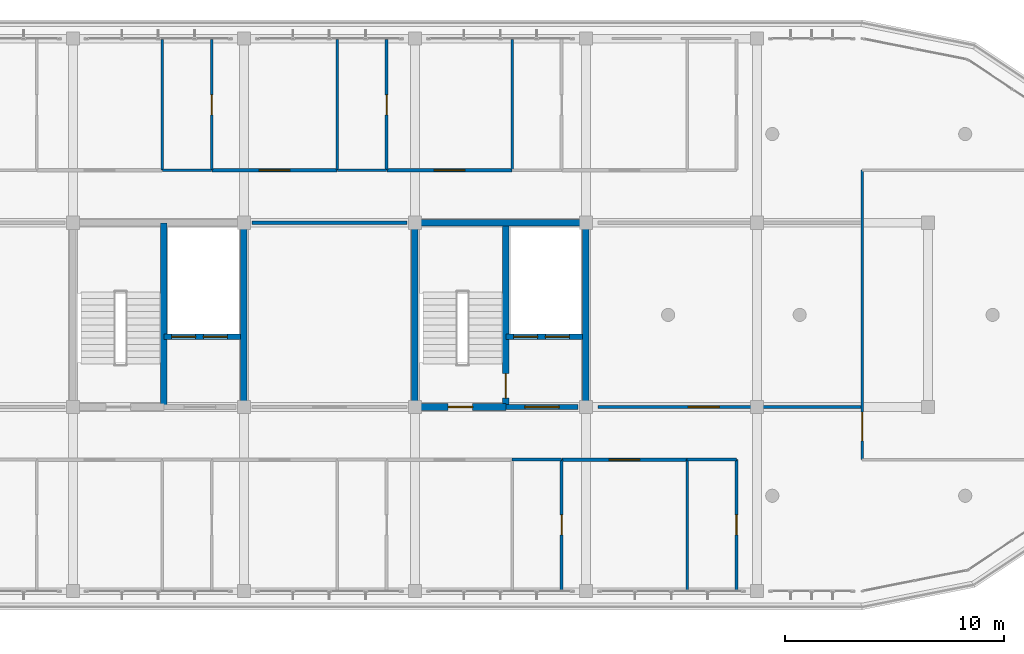
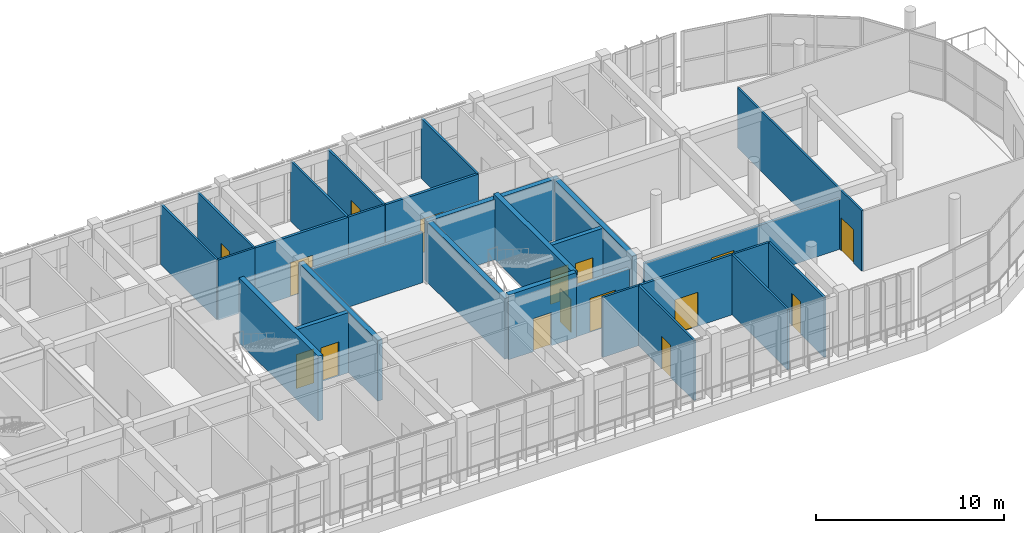
# One storey, part 50 of 56: 28 walls, 16 doors, 16 openings.
"""IFC4 building model written with IfcOpenShell, lengths in metres."""

from ifc_helpers import new_model, si_unit, direction, frame, frame_2d, origin, place, context, subcontext, project, spatial, rectangle, extrude, material, layer, layer_set, type_object, element, fill, save


model = new_model("IFC4")

# Units and contexts
model_context = context("Model", 3, precision=1e-05, world=origin(), true_north=direction((0.0, 1.0)))
body_context = subcontext(model_context, "Body", "Model", "MODEL_VIEW")
ifc_project = project(units=[si_unit("LENGTHUNIT", "METRE"), si_unit("AREAUNIT", "SQUARE_METRE"), si_unit("VOLUMEUNIT", "CUBIC_METRE"), si_unit("PLANEANGLEUNIT", "RADIAN"), si_unit("MASSUNIT", "GRAM", prefix="KILO")], contexts=[model_context])

# Site, building, storey
site_placement = place(None, origin())
site = spatial("IfcSite", under=ifc_project, at=site_placement, CompositionType="ELEMENT")
building_placement = place(site_placement, origin())
building = spatial("IfcBuilding", under=site, at=building_placement, Name="Zizhar Promenade General Hospital", CompositionType="ELEMENT")
storey_placement = place(building_placement, frame((0.0, 0.0, 26.39990234375)))
storey = spatial("IfcBuildingStorey", under=building, at=storey_placement, Name="L06", CompositionType="ELEMENT", Elevation=26.39990234375)

# Wall
ifc_material_1 = material(Name="Clinical consultation partition")
ifc_layer_1 = layer(ifc_material_1, 0.14501953125)
ifc_layer_set_1 = layer_set([ifc_layer_1], Name="Clinical consultation partition")
wall_type_1 = type_object("IfcWallType", Name="IW-CLN-145", PredefinedType="PARTITIONING", material=ifc_layer_set_1)
wall_1_placement = place(storey_placement, frame((86.159912109375, 16.800048828125, 0.0), z_axis=(0.0, 0.0, 1.0), x_axis=(1.0, 0.0, 0.0)))
element("IfcWall", 1, at=wall_1_placement, inside=storey, type_object=wall_type_1, Name="Accessible Visitor Lounge and Clean Utility L06 N Partition", PredefinedType="PARTITIONING", context=body_context, shape_type="SweptSolid", body=[
    extrude(rectangle(XDim=7.080078125, YDim=0.14501953125, at=frame_2d((3.5400390625, 0.0))), origin(), (0.0, 0.0, 1.0), 3.27001953125),
])

# Wall, opening, door
ifc_material_2 = material(Name="Concrete C35/45", Category="concrete")
ifc_layer_2 = layer(ifc_material_2, 0.215087890625)
ifc_layer_set_2 = layer_set([ifc_layer_2], Name="Concrete C35/45")
wall_type_2 = type_object("IfcWallType", Name="IW-LOBBY-215", PredefinedType="STANDARD", material=ifc_layer_set_2)
wall_2_placement = place(storey_placement, frame((97.75, 8.39990234375, 0.0), z_axis=(0.0, 0.0, 1.0), x_axis=(1.0, 0.0, 0.0)))
wall_2 = element("IfcWall", 2, at=wall_2_placement, inside=storey, type_object=wall_type_2, Name="Core C5 Lift Lobby South Fire Wall (L06)", PredefinedType="STANDARD", context=body_context, shape_type="SweptSolid", body=[
    extrude(rectangle(XDim=3.2900390625, YDim=0.215087890625, at=frame_2d((1.64501953125, 0.0))), origin(), (0.0, 0.0, 1.0), 3.27001953125),
])
opening_1_placement = place(wall_2_placement, frame((0.864990234375, 0.0, 0.0)))
opening_1 = element("IfcOpeningElement", 3, at=opening_1_placement, cuts=wall_2, Name="Opening D-22", PredefinedType="OPENING", context=body_context, shape_type="SweptSolid", body=[
    extrude(rectangle(XDim=1.56005859375, YDim=2.199951171875, at=frame_2d((0.780029296875, 1.10009765625))), frame((0.0, 0.11767578125, 0.0), z_axis=(0.0, -1.0, 0.0), x_axis=(1.0, 0.0, 0.0)), (0.0, 0.0, 1.0), 0.235107421875),
])
ifc_material_3 = material(Name="Steel S355 firefighting lobby pair", Category="steel")
door_type_1 = type_object("IfcDoorType", Name="DR-LOBBY-FF-156x220", OperationType="DOUBLE_DOOR_SINGLE_SWING", PredefinedType="DOOR", material=ifc_material_3)
door_1_placement = place(opening_1_placement, origin())
door_1 = element("IfcDoor", 4, at=door_1_placement, inside=storey, type_object=door_type_1, Name="Core C5 Firefighting Lift Lobby Door (L06)", OperationType="DOUBLE_DOOR_SINGLE_SWING", OverallHeight=2.199951171875, OverallWidth=1.56005859375, PredefinedType="DOOR", context=body_context, shape_type="SweptSolid", body=[
    extrude(rectangle(XDim=1.56005859375, YDim=2.199951171875, at=frame_2d((0.780029296875, 1.10009765625))), frame((0.0, 0.02490234375, 0.0), z_axis=(0.0, -1.0, 0.0), x_axis=(1.0, 0.0, 0.0)), (0.0, 0.0, 1.0), 0.050048828125),
])
fill(opening_1, door_1)

# Wall, openings, doors
ifc_material_4 = material(Name="Concrete C35/45", Category="concrete")
ifc_layer_3 = layer(ifc_material_4, 0.25)
ifc_layer_set_3 = layer_set([ifc_layer_3], Name="Concrete C35/45")
wall_type_3 = type_object("IfcWallType", Name="IW-SHAFT-250", PredefinedType="STANDARD", material=ifc_layer_set_3)
wall_3_placement = place(storey_placement, frame((82.14990234375, 11.60009765625, 0.0), z_axis=(0.0, 0.0, 1.0), x_axis=(1.0, 0.0, 0.0)))
wall_3 = element("IfcWall", 5, at=wall_3_placement, inside=storey, type_object=wall_type_3, Name="Core C4 Lift Shaft Landing Wall (L06)", PredefinedType="STANDARD", context=body_context, shape_type="SweptSolid", body=[
    extrude(rectangle(XDim=3.5, YDim=0.25, at=frame_2d((1.75, 0.0))), origin(), (0.0, 0.0, 1.0), 3.900146484375),
])
opening_2_placement = place(wall_3_placement, frame((0.35009765625, 0.0, 0.0)))
opening_2 = element("IfcOpeningElement", 6, at=opening_2_placement, cuts=wall_3, Name="Opening LD-11", PredefinedType="OPENING", context=body_context, shape_type="SweptSolid", body=[
    extrude(rectangle(XDim=1.10009765625, YDim=2.199951171875, at=frame_2d((0.550048828125, 1.10009765625))), frame((0.0, 0.135009765625, 0.0), z_axis=(0.0, -1.0, 0.0), x_axis=(1.0, 0.0, 0.0)), (0.0, 0.0, 1.0), 0.27001953125),
])
opening_3_placement = place(wall_3_placement, frame((1.800048828125, 0.0, 0.0)))
opening_3 = element("IfcOpeningElement", 7, at=opening_3_placement, cuts=wall_3, Name="Opening LD-11", PredefinedType="OPENING", context=body_context, shape_type="SweptSolid", body=[
    extrude(rectangle(XDim=1.10009765625, YDim=2.199951171875, at=frame_2d((0.550048828125, 1.10009765625))), frame((0.0, 0.135009765625, 0.0), z_axis=(0.0, -1.0, 0.0), x_axis=(1.0, 0.0, 0.0)), (0.0, 0.0, 1.0), 0.27001953125),
])
ifc_material_5 = material(Name="Stainless Steel S355 passenger lift landing door", Category="steel")
door_type_2 = type_object("IfcDoorType", Name="DR-LIFT-LD11", OperationType="SLIDING_TO_LEFT", PredefinedType="DOOR", material=ifc_material_5)
door_2_placement = place(opening_2_placement, origin())
door_2 = element("IfcDoor", 8, at=door_2_placement, inside=storey, type_object=door_type_2, Name="Lift LB-03 Sliding Landing Door (L06)", OperationType="SLIDING_TO_LEFT", OverallHeight=2.199951171875, OverallWidth=1.10009765625, PredefinedType="DOOR", context=body_context, shape_type="SweptSolid", body=[
    extrude(rectangle(XDim=1.10009765625, YDim=2.199951171875, at=frame_2d((0.550048828125, 1.10009765625))), frame((0.0, 0.02490234375, 0.0), z_axis=(0.0, -1.0, 0.0), x_axis=(1.0, 0.0, 0.0)), (0.0, 0.0, 1.0), 0.050048828125),
])
fill(opening_2, door_2)
door_3_placement = place(opening_3_placement, origin())
door_3 = element("IfcDoor", 9, at=door_3_placement, inside=storey, type_object=door_type_2, Name="Lift LP-03 Sliding Landing Door (L06)", OperationType="SLIDING_TO_LEFT", OverallHeight=2.199951171875, OverallWidth=1.10009765625, PredefinedType="DOOR", context=body_context, shape_type="SweptSolid", body=[
    extrude(rectangle(XDim=1.10009765625, YDim=2.199951171875, at=frame_2d((0.550048828125, 1.10009765625))), frame((0.0, 0.02490234375, 0.0), z_axis=(0.0, -1.0, 0.0), x_axis=(1.0, 0.0, 0.0)), (0.0, 0.0, 1.0), 0.050048828125),
])
fill(opening_3, door_3)

wall_4_placement = place(storey_placement, frame((97.75, 11.60009765625, 0.0), z_axis=(0.0, 0.0, 1.0), x_axis=(1.0, 0.0, 0.0)))
wall_4 = element("IfcWall", 10, at=wall_4_placement, inside=storey, type_object=wall_type_3, Name="Core C5 Lift Shaft Landing Wall (L06)", PredefinedType="STANDARD", context=body_context, shape_type="SweptSolid", body=[
    extrude(rectangle(XDim=3.5, YDim=0.25, at=frame_2d((1.75, 0.0))), origin(), (0.0, 0.0, 1.0), 3.900146484375),
])
opening_4_placement = place(wall_4_placement, frame((0.35009765625, 0.0, 0.0)))
opening_4 = element("IfcOpeningElement", 11, at=opening_4_placement, cuts=wall_4, Name="Opening LD-11", PredefinedType="OPENING", context=body_context, shape_type="SweptSolid", body=[
    extrude(rectangle(XDim=1.10009765625, YDim=2.199951171875, at=frame_2d((0.550048828125, 1.10009765625))), frame((0.0, 0.135009765625, 0.0), z_axis=(0.0, -1.0, 0.0), x_axis=(1.0, 0.0, 0.0)), (0.0, 0.0, 1.0), 0.27001953125),
])
opening_5_placement = place(wall_4_placement, frame((1.800048828125, 0.0, 0.0)))
opening_5 = element("IfcOpeningElement", 12, at=opening_5_placement, cuts=wall_4, Name="Opening LD-11", PredefinedType="OPENING", context=body_context, shape_type="SweptSolid", body=[
    extrude(rectangle(XDim=1.10009765625, YDim=2.199951171875, at=frame_2d((0.550048828125, 1.10009765625))), frame((0.0, 0.135009765625, 0.0), z_axis=(0.0, -1.0, 0.0), x_axis=(1.0, 0.0, 0.0)), (0.0, 0.0, 1.0), 0.27001953125),
])
door_4_placement = place(opening_4_placement, origin())
door_4 = element("IfcDoor", 13, at=door_4_placement, inside=storey, type_object=door_type_2, Name="Lift LF-02 Sliding Landing Door (L06)", OperationType="SLIDING_TO_LEFT", OverallHeight=2.199951171875, OverallWidth=1.10009765625, PredefinedType="DOOR", context=body_context, shape_type="SweptSolid", body=[
    extrude(rectangle(XDim=1.10009765625, YDim=2.199951171875, at=frame_2d((0.550048828125, 1.10009765625))), frame((0.0, 0.02490234375, 0.0), z_axis=(0.0, -1.0, 0.0), x_axis=(1.0, 0.0, 0.0)), (0.0, 0.0, 1.0), 0.050048828125),
])
fill(opening_4, door_4)
door_5_placement = place(opening_5_placement, origin())
door_5 = element("IfcDoor", 14, at=door_5_placement, inside=storey, type_object=door_type_2, Name="Lift LB-04 Sliding Landing Door (L06)", OperationType="SLIDING_TO_LEFT", OverallHeight=2.199951171875, OverallWidth=1.10009765625, PredefinedType="DOOR", context=body_context, shape_type="SweptSolid", body=[
    extrude(rectangle(XDim=1.10009765625, YDim=2.199951171875, at=frame_2d((0.550048828125, 1.10009765625))), frame((0.0, 0.02490234375, 0.0), z_axis=(0.0, -1.0, 0.0), x_axis=(1.0, 0.0, 0.0)), (0.0, 0.0, 1.0), 0.050048828125),
])
fill(opening_5, door_5)

# Wall, opening, door
ifc_material_6 = material(Name="Clean utility gypsum partition")
ifc_layer_4 = layer(ifc_material_6, 0.114990234375)
ifc_layer_set_4 = layer_set([ifc_layer_4], Name="Clean utility gypsum partition")
wall_type_4 = type_object("IfcWallType", Name="IW-STR-115", PredefinedType="PARTITIONING", material=ifc_layer_set_4)
wall_5_placement = place(storey_placement, frame((114.0, 6.0, 0.0), z_axis=(0.0, 0.0, 1.0), x_axis=(0.0, 1.0, 0.0)))
wall_5 = element("IfcWall", 15, at=wall_5_placement, inside=storey, type_object=wall_type_4, Name="East Patient Recovery Solarium L06 W Partition", PredefinedType="PARTITIONING", context=body_context, shape_type="SweptSolid", body=[
    extrude(rectangle(XDim=13.199951171875, YDim=0.114990234375, at=frame_2d((6.60009765625, 0.0))), origin(), (0.0, 0.0, 1.0), 3.900146484375),
])
opening_6_placement = place(wall_5_placement, frame((0.85009765625, 0.0, 0.0)))
opening_6 = element("IfcOpeningElement", 16, at=opening_6_placement, cuts=wall_5, Name="Opening D-26", PredefinedType="OPENING", context=body_context, shape_type="SweptSolid", body=[
    extrude(rectangle(XDim=1.320068359375, YDim=2.14990234375, at=frame_2d((0.66015625, 1.074951171875))), frame((0.0, 0.0673828125, 0.0), z_axis=(0.0, -1.0, 0.0), x_axis=(1.0, 0.0, 0.0)), (0.0, 0.0, 1.0), 0.135009765625),
])
ifc_material_7 = material(Name="Fire-rated timber store leaf", Category="wood")
door_type_3 = type_object("IfcDoorType", Name="DR-STORE-132x215", OperationType="NOTDEFINED", PredefinedType="DOOR", material=ifc_material_7)
door_6_placement = place(opening_6_placement, origin())
door_6 = element("IfcDoor", 17, at=door_6_placement, inside=storey, type_object=door_type_3, Name="East Patient Recovery Solarium L06 Door", OperationType="SINGLE_SWING_LEFT", OverallHeight=2.14990234375, OverallWidth=1.320068359375, PredefinedType="DOOR", context=body_context, shape_type="SweptSolid", body=[
    extrude(rectangle(XDim=1.320068359375, YDim=2.14990234375, at=frame_2d((0.66015625, 1.074951171875))), frame((0.0, 0.02490234375, 0.0), z_axis=(0.0, -1.0, 0.0), x_axis=(1.0, 0.0, 0.0)), (0.0, 0.0, 1.0), 0.050048828125),
])
fill(opening_6, door_6)

ifc_material_8 = material(Name="Acoustic patient bedroom partition")
ifc_layer_5 = layer(ifc_material_8, 0.155029296875)
ifc_layer_set_5 = layer_set([ifc_layer_5], Name="Acoustic patient bedroom partition")
wall_type_5 = type_object("IfcWallType", Name="IW-WARD-155", PredefinedType="PARTITIONING", material=ifc_layer_set_5)
wall_6_placement = place(storey_placement, frame((84.340087890625, 19.199951171875, 0.0), z_axis=(0.0, 0.0, 1.0), x_axis=(1.0, 0.0, 0.0)))
wall_6 = element("IfcWall", 18, at=wall_6_placement, inside=storey, type_object=wall_type_5, Name="Surgical Recovery Inpatient Ward L06-N07 S Partition", PredefinedType="PARTITIONING", context=body_context, shape_type="SweptSolid", body=[
    extrude(rectangle(XDim=5.7099609375, YDim=0.155029296875, at=frame_2d((2.85498046875, 0.0))), origin(), (0.0, 0.0, 1.0), 3.900146484375),
])
opening_7_placement = place(wall_6_placement, frame((2.155029296875, 0.0, 0.0)))
opening_7 = element("IfcOpeningElement", 19, at=opening_7_placement, cuts=wall_6, Name="Opening D-06", PredefinedType="OPENING", context=body_context, shape_type="SweptSolid", body=[
    extrude(rectangle(XDim=1.39990234375, YDim=2.199951171875, at=frame_2d((0.699951171875, 1.10009765625))), frame((0.0, 0.08740234375, 0.0), z_axis=(0.0, -1.0, 0.0), x_axis=(1.0, 0.0, 0.0)), (0.0, 0.0, 1.0), 0.175048828125),
])
ifc_material_9 = material(Name="Fire-rated timber hospital bed leaf", Category="wood")
door_type_4 = type_object("IfcDoorType", Name="DR-BED-WARD-140x220", OperationType="NOTDEFINED", PredefinedType="DOOR", material=ifc_material_9)
door_7_placement = place(opening_7_placement, origin())
door_7 = element("IfcDoor", 20, at=door_7_placement, inside=storey, type_object=door_type_4, Name="Surgical Recovery Inpatient Ward L06-N07 Door", OperationType="SINGLE_SWING_LEFT", OverallHeight=2.199951171875, OverallWidth=1.39990234375, PredefinedType="DOOR", context=body_context, shape_type="SweptSolid", body=[
    extrude(rectangle(XDim=1.39990234375, YDim=2.199951171875, at=frame_2d((0.699951171875, 1.10009765625))), frame((0.0, 0.02490234375, 0.0), z_axis=(0.0, -1.0, 0.0), x_axis=(1.0, 0.0, 0.0)), (0.0, 0.0, 1.0), 0.050048828125),
])
fill(opening_7, door_7)

wall_7_placement = place(storey_placement, frame((92.320068359375, 19.199951171875, 0.0), z_axis=(0.0, 0.0, 1.0), x_axis=(1.0, 0.0, 0.0)))
wall_7 = element("IfcWall", 21, at=wall_7_placement, inside=storey, type_object=wall_type_5, Name="Orthopaedic Inpatient Ward L06-N08 S Partition", PredefinedType="PARTITIONING", context=body_context, shape_type="SweptSolid", body=[
    extrude(rectangle(XDim=5.7099609375, YDim=0.155029296875, at=frame_2d((2.85498046875, 0.0))), origin(), (0.0, 0.0, 1.0), 3.900146484375),
])
opening_8_placement = place(wall_7_placement, frame((2.155029296875, 0.0, 0.0)))
opening_8 = element("IfcOpeningElement", 22, at=opening_8_placement, cuts=wall_7, Name="Opening D-06", PredefinedType="OPENING", context=body_context, shape_type="SweptSolid", body=[
    extrude(rectangle(XDim=1.39990234375, YDim=2.199951171875, at=frame_2d((0.699951171875, 1.10009765625))), frame((0.0, 0.08740234375, 0.0), z_axis=(0.0, -1.0, 0.0), x_axis=(1.0, 0.0, 0.0)), (0.0, 0.0, 1.0), 0.175048828125),
])
door_8_placement = place(opening_8_placement, origin())
door_8 = element("IfcDoor", 23, at=door_8_placement, inside=storey, type_object=door_type_4, Name="Orthopaedic Inpatient Ward L06-N08 Door", OperationType="SINGLE_SWING_LEFT", OverallHeight=2.199951171875, OverallWidth=1.39990234375, PredefinedType="DOOR", context=body_context, shape_type="SweptSolid", body=[
    extrude(rectangle(XDim=1.39990234375, YDim=2.199951171875, at=frame_2d((0.699951171875, 1.10009765625))), frame((0.0, 0.02490234375, 0.0), z_axis=(0.0, -1.0, 0.0), x_axis=(1.0, 0.0, 0.0)), (0.0, 0.0, 1.0), 0.050048828125),
])
fill(opening_8, door_8)

wall_8_placement = place(storey_placement, frame((100.300048828125, 6.0, 0.0), z_axis=(0.0, 0.0, 1.0), x_axis=(1.0, 0.0, 0.0)))
wall_8 = element("IfcWall", 24, at=wall_8_placement, inside=storey, type_object=wall_type_5, Name="Surgical Recovery Inpatient Ward L06-S09 N Partition", PredefinedType="PARTITIONING", context=body_context, shape_type="SweptSolid", body=[
    extrude(rectangle(XDim=5.7099609375, YDim=0.155029296875, at=frame_2d((2.85498046875, 0.0))), origin(), (0.0, 0.0, 1.0), 3.900146484375),
])
opening_9_placement = place(wall_8_placement, frame((2.155029296875, 0.0, 0.0)))
opening_9 = element("IfcOpeningElement", 25, at=opening_9_placement, cuts=wall_8, Name="Opening D-06", PredefinedType="OPENING", context=body_context, shape_type="SweptSolid", body=[
    extrude(rectangle(XDim=1.39990234375, YDim=2.199951171875, at=frame_2d((0.699951171875, 1.10009765625))), frame((0.0, 0.08740234375, 0.0), z_axis=(0.0, -1.0, 0.0), x_axis=(1.0, 0.0, 0.0)), (0.0, 0.0, 1.0), 0.175048828125),
])
door_9_placement = place(opening_9_placement, origin())
door_9 = element("IfcDoor", 26, at=door_9_placement, inside=storey, type_object=door_type_4, Name="Surgical Recovery Inpatient Ward L06-S09 Door", OperationType="SINGLE_SWING_RIGHT", OverallHeight=2.199951171875, OverallWidth=1.39990234375, PredefinedType="DOOR", context=body_context, shape_type="SweptSolid", body=[
    extrude(rectangle(XDim=1.39990234375, YDim=2.199951171875, at=frame_2d((0.699951171875, 1.10009765625))), frame((0.0, 0.02490234375, 0.0), z_axis=(0.0, -1.0, 0.0), x_axis=(1.0, 0.0, 0.0)), (0.0, 0.0, 1.0), 0.050048828125),
])
fill(opening_9, door_9)

wall_9_placement = place(storey_placement, frame((101.9599609375, 8.39990234375, 0.0), z_axis=(0.0, 0.0, 1.0), x_axis=(1.0, 0.0, 0.0)))
wall_9 = element("IfcWall", 27, at=wall_9_placement, inside=storey, type_object=wall_type_5, Name="Ward Doctor Consultation Office L06 S Partition", PredefinedType="PARTITIONING", context=body_context, shape_type="SweptSolid", body=[
    extrude(rectangle(XDim=12.030029296875, YDim=0.155029296875, at=frame_2d((6.01513671875, 0.0))), origin(), (0.0, 0.0, 1.0), 3.27001953125),
])
opening_10_placement = place(wall_9_placement, frame((4.112060546875, 0.0, 0.0)))
opening_10 = element("IfcOpeningElement", 28, at=opening_10_placement, cuts=wall_9, Name="Opening D-06", PredefinedType="OPENING", context=body_context, shape_type="SweptSolid", body=[
    extrude(rectangle(XDim=1.39990234375, YDim=2.199951171875, at=frame_2d((0.699951171875, 1.10009765625))), frame((0.0, 0.08740234375, 0.0), z_axis=(0.0, -1.0, 0.0), x_axis=(1.0, 0.0, 0.0)), (0.0, 0.0, 1.0), 0.175048828125),
])
door_10_placement = place(opening_10_placement, origin())
door_10 = element("IfcDoor", 29, at=door_10_placement, inside=storey, type_object=door_type_4, Name="Ward Doctor Consultation Office L06 Door", OperationType="SINGLE_SWING_LEFT", OverallHeight=2.199951171875, OverallWidth=1.39990234375, PredefinedType="DOOR", context=body_context, shape_type="SweptSolid", body=[
    extrude(rectangle(XDim=1.39990234375, YDim=2.199951171875, at=frame_2d((0.699951171875, 1.10009765625))), frame((0.0, 0.02490234375, 0.0), z_axis=(0.0, -1.0, 0.0), x_axis=(1.0, 0.0, 0.0)), (0.0, 0.0, 1.0), 0.050048828125),
])
fill(opening_10, door_10)

# Walls
ifc_material_10 = material(Name="Moisture-resistant en-suite wet partition")
ifc_layer_6 = layer(ifc_material_10, 0.125)
ifc_layer_set_6 = layer_set([ifc_layer_6], Name="Moisture-resistant en-suite wet partition")
wall_type_6 = type_object("IfcWallType", Name="IW-WET-125", PredefinedType="PARTITIONING", material=ifc_layer_set_6)
wall_10_placement = place(storey_placement, frame((82.080078125, 19.199951171875, 0.0), z_axis=(0.0, 0.0, 1.0), x_axis=(1.0, 0.0, 0.0)))
element("IfcWall", 30, at=wall_10_placement, inside=storey, type_object=wall_type_6, Name="En-Suite Patient Bathroom L06-N07 S Partition", PredefinedType="PARTITIONING", context=body_context, shape_type="SweptSolid", body=[
    extrude(rectangle(XDim=2.25, YDim=0.125, at=frame_2d((1.125, 0.0))), origin(), (0.0, 0.0, 1.0), 3.900146484375),
])
wall_11_placement = place(storey_placement, frame((82.080078125, 19.199951171875, 0.0), z_axis=(0.0, 0.0, 1.0), x_axis=(0.0, 1.0, 0.0)))
element("IfcWall", 31, at=wall_11_placement, inside=storey, type_object=wall_type_6, Name="En-Suite Patient Bathroom L06-N07 W Partition", PredefinedType="PARTITIONING", context=body_context, shape_type="SweptSolid", body=[
    extrude(rectangle(XDim=5.955078125, YDim=0.125, at=frame_2d((2.9775390625, 0.0))), origin(), (0.0, 0.0, 1.0), 3.900146484375),
])

# Wall, opening, door
wall_12_placement = place(storey_placement, frame((84.330078125, 19.199951171875, 0.0), z_axis=(0.0, 0.0, 1.0), x_axis=(0.0, 1.0, 0.0)))
wall_12 = element("IfcWall", 32, at=wall_12_placement, inside=storey, type_object=wall_type_6, Name="En-Suite Patient Bathroom L06-N07 E Partition", PredefinedType="PARTITIONING", context=body_context, shape_type="SweptSolid", body=[
    extrude(rectangle(XDim=5.955078125, YDim=0.125, at=frame_2d((2.9775390625, 0.0))), origin(), (0.0, 0.0, 1.0), 3.900146484375),
])
opening_11_placement = place(wall_12_placement, frame((2.517578125, 0.0, 0.0)))
opening_11 = element("IfcOpeningElement", 33, at=opening_11_placement, cuts=wall_12, Name="Opening D-18", PredefinedType="OPENING", context=body_context, shape_type="SweptSolid", body=[
    extrude(rectangle(XDim=0.919921875, YDim=2.10009765625, at=frame_2d((0.4599609375, 1.050048828125))), frame((0.0, 0.072509765625, 0.0), z_axis=(0.0, -1.0, 0.0), x_axis=(1.0, 0.0, 0.0)), (0.0, 0.0, 1.0), 0.14501953125),
])
ifc_material_11 = material(Name="Moisture-resistant timber en-suite leaf", Category="wood")
door_type_5 = type_object("IfcDoorType", Name="DR-ENS-STD-092x210", OperationType="NOTDEFINED", PredefinedType="DOOR", material=ifc_material_11)
door_11_placement = place(opening_11_placement, origin())
door_11 = element("IfcDoor", 34, at=door_11_placement, inside=storey, type_object=door_type_5, Name="En-Suite Patient Bathroom L06-N07 Door", OperationType="SINGLE_SWING_LEFT", OverallHeight=2.10009765625, OverallWidth=0.919921875, PredefinedType="DOOR", context=body_context, shape_type="SweptSolid", body=[
    extrude(rectangle(XDim=0.919921875, YDim=2.10009765625, at=frame_2d((0.4599609375, 1.050048828125))), frame((0.0, 0.02490234375, 0.0), z_axis=(0.0, -1.0, 0.0), x_axis=(1.0, 0.0, 0.0)), (0.0, 0.0, 1.0), 0.050048828125),
])
fill(opening_11, door_11)

# Walls
wall_13_placement = place(storey_placement, frame((90.06005859375, 19.199951171875, 0.0), z_axis=(0.0, 0.0, 1.0), x_axis=(1.0, 0.0, 0.0)))
element("IfcWall", 35, at=wall_13_placement, inside=storey, type_object=wall_type_6, Name="En-Suite Patient Bathroom L06-N08 S Partition", PredefinedType="PARTITIONING", context=body_context, shape_type="SweptSolid", body=[
    extrude(rectangle(XDim=2.25, YDim=0.125, at=frame_2d((1.125, 0.0))), origin(), (0.0, 0.0, 1.0), 3.900146484375),
])
wall_14_placement = place(storey_placement, frame((90.06005859375, 19.199951171875, 0.0), z_axis=(0.0, 0.0, 1.0), x_axis=(0.0, 1.0, 0.0)))
element("IfcWall", 36, at=wall_14_placement, inside=storey, type_object=wall_type_6, Name="En-Suite Patient Bathroom L06-N08 W Partition", PredefinedType="PARTITIONING", context=body_context, shape_type="SweptSolid", body=[
    extrude(rectangle(XDim=5.955078125, YDim=0.125, at=frame_2d((2.9775390625, 0.0))), origin(), (0.0, 0.0, 1.0), 3.900146484375),
])

# Wall, opening, door
wall_15_placement = place(storey_placement, frame((92.31005859375, 19.199951171875, 0.0), z_axis=(0.0, 0.0, 1.0), x_axis=(0.0, 1.0, 0.0)))
wall_15 = element("IfcWall", 37, at=wall_15_placement, inside=storey, type_object=wall_type_6, Name="En-Suite Patient Bathroom L06-N08 E Partition", PredefinedType="PARTITIONING", context=body_context, shape_type="SweptSolid", body=[
    extrude(rectangle(XDim=5.955078125, YDim=0.125, at=frame_2d((2.9775390625, 0.0))), origin(), (0.0, 0.0, 1.0), 3.900146484375),
])
opening_12_placement = place(wall_15_placement, frame((2.517578125, 0.0, 0.0)))
opening_12 = element("IfcOpeningElement", 38, at=opening_12_placement, cuts=wall_15, Name="Opening D-18", PredefinedType="OPENING", context=body_context, shape_type="SweptSolid", body=[
    extrude(rectangle(XDim=0.919921875, YDim=2.10009765625, at=frame_2d((0.4599609375, 1.050048828125))), frame((0.0, 0.072509765625, 0.0), z_axis=(0.0, -1.0, 0.0), x_axis=(1.0, 0.0, 0.0)), (0.0, 0.0, 1.0), 0.14501953125),
])
door_12_placement = place(opening_12_placement, origin())
door_12 = element("IfcDoor", 39, at=door_12_placement, inside=storey, type_object=door_type_5, Name="En-Suite Patient Bathroom L06-N08 Door", OperationType="SINGLE_SWING_LEFT", OverallHeight=2.10009765625, OverallWidth=0.919921875, PredefinedType="DOOR", context=body_context, shape_type="SweptSolid", body=[
    extrude(rectangle(XDim=0.919921875, YDim=2.10009765625, at=frame_2d((0.4599609375, 1.050048828125))), frame((0.0, 0.02490234375, 0.0), z_axis=(0.0, -1.0, 0.0), x_axis=(1.0, 0.0, 0.0)), (0.0, 0.0, 1.0), 0.050048828125),
])
fill(opening_12, door_12)

# Wall
wall_16_placement = place(storey_placement, frame((98.0400390625, 6.0, 0.0), z_axis=(0.0, 0.0, 1.0), x_axis=(1.0, 0.0, 0.0)))
element("IfcWall", 40, at=wall_16_placement, inside=storey, type_object=wall_type_6, Name="En-Suite Patient Bathroom L06-S09 N Partition", PredefinedType="PARTITIONING", context=body_context, shape_type="SweptSolid", body=[
    extrude(rectangle(XDim=2.25, YDim=0.125, at=frame_2d((1.125, 0.0))), origin(), (0.0, 0.0, 1.0), 3.900146484375),
])

# Wall, opening, door
wall_17_placement = place(storey_placement, frame((100.2900390625, 0.044921875, 0.0), z_axis=(0.0, 0.0, 1.0), x_axis=(0.0, 1.0, 0.0)))
wall_17 = element("IfcWall", 41, at=wall_17_placement, inside=storey, type_object=wall_type_6, Name="En-Suite Patient Bathroom L06-S09 E Partition", PredefinedType="PARTITIONING", context=body_context, shape_type="SweptSolid", body=[
    extrude(rectangle(XDim=5.955078125, YDim=0.125, at=frame_2d((2.9775390625, 0.0))), origin(), (0.0, 0.0, 1.0), 3.900146484375),
])
opening_13_placement = place(wall_17_placement, frame((2.517578125, 0.0, 0.0)))
opening_13 = element("IfcOpeningElement", 42, at=opening_13_placement, cuts=wall_17, Name="Opening D-18", PredefinedType="OPENING", context=body_context, shape_type="SweptSolid", body=[
    extrude(rectangle(XDim=0.919921875, YDim=2.10009765625, at=frame_2d((0.4599609375, 1.050048828125))), frame((0.0, 0.072509765625, 0.0), z_axis=(0.0, -1.0, 0.0), x_axis=(1.0, 0.0, 0.0)), (0.0, 0.0, 1.0), 0.14501953125),
])
door_13_placement = place(opening_13_placement, origin())
door_13 = element("IfcDoor", 43, at=door_13_placement, inside=storey, type_object=door_type_5, Name="En-Suite Patient Bathroom L06-S09 Door", OperationType="SINGLE_SWING_RIGHT", OverallHeight=2.10009765625, OverallWidth=0.919921875, PredefinedType="DOOR", context=body_context, shape_type="SweptSolid", body=[
    extrude(rectangle(XDim=0.919921875, YDim=2.10009765625, at=frame_2d((0.4599609375, 1.050048828125))), frame((0.0, 0.02490234375, 0.0), z_axis=(0.0, -1.0, 0.0), x_axis=(1.0, 0.0, 0.0)), (0.0, 0.0, 1.0), 0.050048828125),
])
fill(opening_13, door_13)

# Walls
wall_18_placement = place(storey_placement, frame((98.0400390625, 19.199951171875, 0.0), z_axis=(0.0, 0.0, 1.0), x_axis=(0.0, 1.0, 0.0)))
element("IfcWall", 44, at=wall_18_placement, inside=storey, type_object=wall_type_6, Name="En-Suite Patient Bathroom L06-N09 W Partition", PredefinedType="PARTITIONING", context=body_context, shape_type="SweptSolid", body=[
    extrude(rectangle(XDim=5.955078125, YDim=0.125, at=frame_2d((2.9775390625, 0.0))), origin(), (0.0, 0.0, 1.0), 3.900146484375),
])
wall_19_placement = place(storey_placement, frame((106.02001953125, 6.0, 0.0), z_axis=(0.0, 0.0, 1.0), x_axis=(1.0, 0.0, 0.0)))
element("IfcWall", 45, at=wall_19_placement, inside=storey, type_object=wall_type_6, Name="En-Suite Patient Bathroom L06-S10 N Partition", PredefinedType="PARTITIONING", context=body_context, shape_type="SweptSolid", body=[
    extrude(rectangle(XDim=2.25, YDim=0.125, at=frame_2d((1.125, 0.0))), origin(), (0.0, 0.0, 1.0), 3.900146484375),
])
wall_20_placement = place(storey_placement, frame((106.02001953125, 0.044921875, 0.0), z_axis=(0.0, 0.0, 1.0), x_axis=(0.0, 1.0, 0.0)))
element("IfcWall", 46, at=wall_20_placement, inside=storey, type_object=wall_type_6, Name="En-Suite Patient Bathroom L06-S10 W Partition", PredefinedType="PARTITIONING", context=body_context, shape_type="SweptSolid", body=[
    extrude(rectangle(XDim=5.955078125, YDim=0.125, at=frame_2d((2.9775390625, 0.0))), origin(), (0.0, 0.0, 1.0), 3.900146484375),
])

# Wall, opening, door
wall_21_placement = place(storey_placement, frame((108.27001953125, 0.044921875, 0.0), z_axis=(0.0, 0.0, 1.0), x_axis=(0.0, 1.0, 0.0)))
wall_21 = element("IfcWall", 47, at=wall_21_placement, inside=storey, type_object=wall_type_6, Name="En-Suite Patient Bathroom L06-S10 E Partition", PredefinedType="PARTITIONING", context=body_context, shape_type="SweptSolid", body=[
    extrude(rectangle(XDim=5.955078125, YDim=0.125, at=frame_2d((2.9775390625, 0.0))), origin(), (0.0, 0.0, 1.0), 3.900146484375),
])
opening_14_placement = place(wall_21_placement, frame((2.517578125, 0.0, 0.0)))
opening_14 = element("IfcOpeningElement", 48, at=opening_14_placement, cuts=wall_21, Name="Opening D-18", PredefinedType="OPENING", context=body_context, shape_type="SweptSolid", body=[
    extrude(rectangle(XDim=0.919921875, YDim=2.10009765625, at=frame_2d((0.4599609375, 1.050048828125))), frame((0.0, 0.072509765625, 0.0), z_axis=(0.0, -1.0, 0.0), x_axis=(1.0, 0.0, 0.0)), (0.0, 0.0, 1.0), 0.14501953125),
])
door_14_placement = place(opening_14_placement, origin())
door_14 = element("IfcDoor", 49, at=door_14_placement, inside=storey, type_object=door_type_5, Name="En-Suite Patient Bathroom L06-S10 Door", OperationType="SINGLE_SWING_RIGHT", OverallHeight=2.10009765625, OverallWidth=0.919921875, PredefinedType="DOOR", context=body_context, shape_type="SweptSolid", body=[
    extrude(rectangle(XDim=0.919921875, YDim=2.10009765625, at=frame_2d((0.4599609375, 1.050048828125))), frame((0.0, 0.02490234375, 0.0), z_axis=(0.0, -1.0, 0.0), x_axis=(1.0, 0.0, 0.0)), (0.0, 0.0, 1.0), 0.050048828125),
])
fill(opening_14, door_14)

# Walls
ifc_material_12 = material(Name="Concrete C40/50", Category="concrete")
ifc_layer_7 = layer(ifc_material_12, 0.300048828125)
ifc_layer_set_7 = layer_set([ifc_layer_7], Name="Concrete C40/50")
wall_type_7 = type_object("IfcWallType", Name="WL-CORE-300", PredefinedType="SHEAR", material=ifc_layer_set_7)
wall_22_placement = place(storey_placement, frame((85.800048828125, 8.39990234375, 0.0), z_axis=(0.0, 0.0, 1.0), x_axis=(0.0, 1.0, 0.0)))
element("IfcWall", 50, at=wall_22_placement, inside=storey, type_object=wall_type_7, Name="Core C4 East Shear Wall L06", PredefinedType="SHEAR", context=body_context, shape_type="SweptSolid", body=[
    extrude(rectangle(XDim=8.400146484375, YDim=0.300048828125, at=frame_2d((4.2001953125, 0.0))), origin(), (0.0, 0.0, 1.0), 3.920166015625),
])
wall_23_placement = place(storey_placement, frame((93.449951171875, 16.800048828125, 0.0), z_axis=(0.0, 0.0, 1.0), x_axis=(1.0, 0.0, 0.0)))
element("IfcWall", 51, at=wall_23_placement, inside=storey, type_object=wall_type_7, Name="Core C5 North Shear Wall L06", PredefinedType="SHEAR", context=body_context, shape_type="SweptSolid", body=[
    extrude(rectangle(XDim=8.10009765625, YDim=0.300048828125, at=frame_2d((4.050048828125, 0.0))), origin(), (0.0, 0.0, 1.0), 3.920166015625),
])
for number, where, z_axis, x_axis, name in (
    (52, (93.60009765625, 8.39990234375, 0.0), (0.0, 0.0, 1.0), (0.0, 1.0, 0.0), "Core C5 West Shear Wall L06"),
    (53, (101.39990234375, 8.39990234375, 0.0), (0.0, 0.0, 1.0), (0.0, 1.0, 0.0), "Core C5 East Shear Wall L06"),
):
    element("IfcWall", number, at=place(storey_placement, frame(where, z_axis=z_axis, x_axis=x_axis)), inside=storey, type_object=wall_type_7, Name=name, PredefinedType="SHEAR", context=body_context, shape_type="SweptSolid", body=[
        extrude(rectangle(XDim=8.400146484375, YDim=0.300048828125, at=frame_2d((4.2001953125, 0.0))), origin(), (0.0, 0.0, 1.0), 3.920166015625),
    ])
wall_24_placement = place(storey_placement, frame((82.14990234375, 8.39990234375, 0.0), z_axis=(0.0, 0.0, 1.0), x_axis=(0.0, 1.0, 0.0)))
element("IfcWall", 54, at=wall_24_placement, inside=storey, type_object=wall_type_7, Name="Core C4 Stair-Shaft Separation Wall (L06)", PredefinedType="SHEAR", context=body_context, shape_type="SweptSolid", body=[
    extrude(rectangle(XDim=8.400146484375, YDim=0.300048828125, at=frame_2d((4.2001953125, 0.0))), origin(), (0.0, 0.0, 1.0), 4.2001953125),
])

# Wall, opening, door
wall_25_placement = place(storey_placement, frame((93.60009765625, 8.39990234375, 0.0), z_axis=(0.0, 0.0, 1.0), x_axis=(1.0, 0.0, 0.0)))
wall_25 = element("IfcWall", 55, at=wall_25_placement, inside=storey, type_object=wall_type_7, Name="Core C5 Stair South Fire Wall (L06)", PredefinedType="SHEAR", context=body_context, shape_type="SweptSolid", body=[
    extrude(rectangle(XDim=4.14990234375, YDim=0.300048828125, at=frame_2d((2.074951171875, 0.0))), origin(), (0.0, 0.0, 1.0), 4.2001953125),
])
opening_15_placement = place(wall_25_placement, frame((1.514892578125, 0.0, 0.0)))
opening_15 = element("IfcOpeningElement", 56, at=opening_15_placement, cuts=wall_25, Name="Opening D-21", PredefinedType="OPENING", context=body_context, shape_type="SweptSolid", body=[
    extrude(rectangle(XDim=1.1201171875, YDim=2.14990234375, at=frame_2d((0.56005859375, 1.074951171875))), frame((0.0, 0.16015625, 0.0), z_axis=(0.0, -1.0, 0.0), x_axis=(1.0, 0.0, 0.0)), (0.0, 0.0, 1.0), 0.320068359375),
])
ifc_material_13 = material(Name="Steel S355 protected stair door", Category="steel")
door_type_6 = type_object("IfcDoorType", Name="DR-STAIR-112x215", OperationType="NOTDEFINED", PredefinedType="DOOR", material=ifc_material_13)
door_15_placement = place(opening_15_placement, origin())
door_15 = element("IfcDoor", 57, at=door_15_placement, inside=storey, type_object=door_type_6, Name="Exit Stair ST-05 Door (L06)", OperationType="SINGLE_SWING_RIGHT", OverallHeight=2.14990234375, OverallWidth=1.1201171875, PredefinedType="DOOR", context=body_context, shape_type="SweptSolid", body=[
    extrude(rectangle(XDim=1.1201171875, YDim=2.14990234375, at=frame_2d((0.56005859375, 1.074951171875))), frame((0.0, 0.02490234375, 0.0), z_axis=(0.0, -1.0, 0.0), x_axis=(1.0, 0.0, 0.0)), (0.0, 0.0, 1.0), 0.050048828125),
])
fill(opening_15, door_15)

wall_26_placement = place(storey_placement, frame((97.75, 8.39990234375, 0.0), z_axis=(0.0, 0.0, 1.0), x_axis=(0.0, 1.0, 0.0)))
wall_26 = element("IfcWall", 58, at=wall_26_placement, inside=storey, type_object=wall_type_7, Name="Core C5 Stair-Shaft Separation Wall (L06)", PredefinedType="SHEAR", context=body_context, shape_type="SweptSolid", body=[
    extrude(rectangle(XDim=8.400146484375, YDim=0.300048828125, at=frame_2d((4.2001953125, 0.0))), origin(), (0.0, 0.0, 1.0), 4.2001953125),
])
opening_16_placement = place(wall_26_placement, frame((0.39990234375, 0.0, 0.0)))
opening_16 = element("IfcOpeningElement", 59, at=opening_16_placement, cuts=wall_26, Name="Opening D-21", PredefinedType="OPENING", context=body_context, shape_type="SweptSolid", body=[
    extrude(rectangle(XDim=1.1201171875, YDim=2.14990234375, at=frame_2d((0.56005859375, 1.074951171875))), frame((0.0, 0.16015625, 0.0), z_axis=(0.0, -1.0, 0.0), x_axis=(1.0, 0.0, 0.0)), (0.0, 0.0, 1.0), 0.320068359375),
])
door_16_placement = place(opening_16_placement, origin())
door_16 = element("IfcDoor", 60, at=door_16_placement, inside=storey, type_object=door_type_6, Name="Firefighting Lobby to Stair ST-05 Door (L06)", OperationType="SINGLE_SWING_LEFT", OverallHeight=2.14990234375, OverallWidth=1.1201171875, PredefinedType="DOOR", context=body_context, shape_type="SweptSolid", body=[
    extrude(rectangle(XDim=1.1201171875, YDim=2.14990234375, at=frame_2d((0.56005859375, 1.074951171875))), frame((0.0, 0.02490234375, 0.0), z_axis=(0.0, -1.0, 0.0), x_axis=(1.0, 0.0, 0.0)), (0.0, 0.0, 1.0), 0.050048828125),
])
fill(opening_16, door_16)

save(model, "model.ifc")
